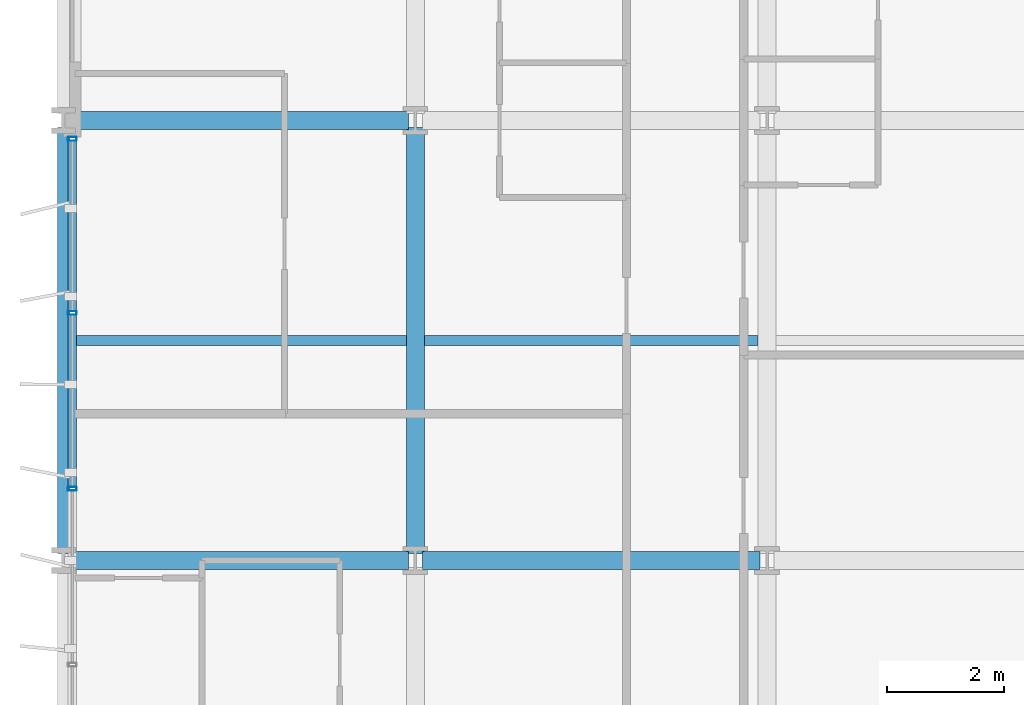
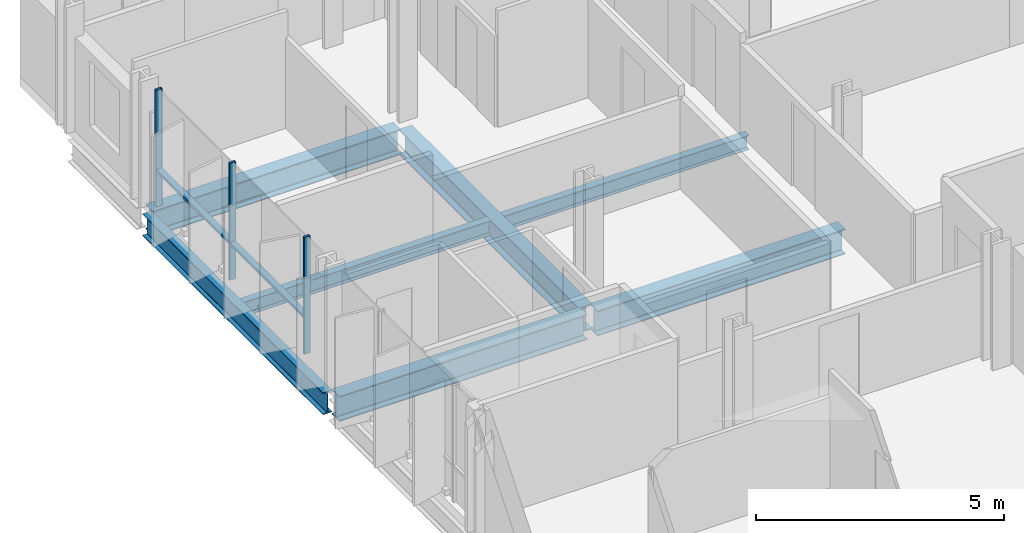
# One storey, part 5 of 38: 7 beams, 5 members, 1 element without a shape of its own.
"""IFC4 building model written with IfcOpenShell, lengths in metres."""

from ifc_helpers import new_model, si_unit, direction, frame, origin, origin_2d, place, context, subcontext, project, spatial, hollow_rectangle, i_section, extrude, material, layer, layer_set, material_profile, profile_set, type_object, element, aggregate, save


model = new_model("IFC4")

# Units and contexts
model_context = context("Model", 3, precision=1e-05, world=origin(), true_north=direction((0.0, 1.0)))
body_context = subcontext(model_context, "Body", "Model", "MODEL_VIEW")
ifc_project = project(units=[si_unit("LENGTHUNIT", "METRE"), si_unit("AREAUNIT", "SQUARE_METRE"), si_unit("VOLUMEUNIT", "CUBIC_METRE"), si_unit("PLANEANGLEUNIT", "RADIAN"), si_unit("MASSUNIT", "GRAM", prefix="KILO")], contexts=[model_context])

# Site, building, storey
site_placement = place(None, origin())
site = spatial("IfcSite", under=ifc_project, at=site_placement, CompositionType="ELEMENT")
building_placement = place(site_placement, origin())
building = spatial("IfcBuilding", under=site, at=building_placement, Name="Brevholm Reach", CompositionType="ELEMENT")
storey_placement = place(building_placement, frame((0.0, 0.0, 52.800048828125)))
storey = spatial("IfcBuildingStorey", under=building, at=storey_placement, Name="L14", CompositionType="ELEMENT", Elevation=52.800048828125)

# Beams
ifc_material_1 = material(Name="Structural Steel S355J2", Category="steel")
ifc_material_profile_1 = material_profile(ifc_material_1, i_section(OverallWidth=0.17138671875, OverallDepth=0.35498046875, WebThickness=0.00732421875, FlangeThickness=0.011474609375, FilletRadius=0.01025390625, at=origin_2d()), Name="UKB 356x171x51")
ifc_profile_set_1 = profile_set([ifc_material_profile_1], Name="Structural Steel S355J2")
beam_type_1 = type_object("IfcBeamType", Name="BM-B356", PredefinedType="BEAM", material=ifc_profile_set_1)
beam_1_placement = place(storey_placement, frame((0.10546875, 19.75, -0.407470703125), z_axis=(1.0, 0.0, 0.0), x_axis=(0.0, 1.0, 0.0)))
element("IfcBeam", 1, at=beam_1_placement, inside=storey, type_object=beam_type_1, Name="L14 Composite Secondary Floor Beam", PredefinedType="BEAM", context=body_context, shape_type="SweptSolid", body=[
    extrude(i_section(OverallWidth=0.17138671875, OverallDepth=0.35498046875, WebThickness=0.00732421875, FlangeThickness=0.011474609375, FilletRadius=0.01025390625, at=origin_2d()), origin(), (0.0, 0.0, 1.0), 5.740966796875),
])
beam_2_placement = place(storey_placement, frame((6.153564453125, 19.75, -0.407470703125), z_axis=(1.0, 0.0, 0.0), x_axis=(0.0, 1.0, 0.0)))
element("IfcBeam", 2, at=beam_2_placement, inside=storey, type_object=beam_type_1, Name="L14 Composite Secondary Floor Beam", PredefinedType="BEAM", context=body_context, shape_type="SweptSolid", body=[
    extrude(i_section(OverallWidth=0.17138671875, OverallDepth=0.35498046875, WebThickness=0.00732421875, FlangeThickness=0.011474609375, FilletRadius=0.01025390625, at=origin_2d()), origin(), (0.0, 0.0, 1.0), 5.69287109375),
])
ifc_material_2 = material(Name="Structural Steel S355J2", Category="steel")
ifc_material_profile_2 = material_profile(ifc_material_2, i_section(OverallWidth=0.210693359375, OverallDepth=0.53955078125, WebThickness=0.01171875, FlangeThickness=0.018798828125, FilletRadius=0.0126953125, at=origin_2d()), Name="UKB 533x210x109")
ifc_profile_set_2 = profile_set([ifc_material_profile_2], Name="Structural Steel S355J2")
beam_type_2 = type_object("IfcBeamType", Name="BM-SP539", PredefinedType="SPANDREL", material=ifc_profile_set_2)
beam_3_placement = place(storey_placement, frame((0.0, 16.1201171875, -0.499755859375), z_axis=(0.0, 1.0, 0.0), x_axis=(-1.0, 0.0, 0.0)))
element("IfcBeam", 3, at=beam_3_placement, inside=storey, type_object=beam_type_2, Name="L14 SP-01B Framing Beam", PredefinedType="SPANDREL", context=body_context, shape_type="SweptSolid", body=[
    extrude(i_section(OverallWidth=0.210693359375, OverallDepth=0.53955078125, WebThickness=0.01171875, FlangeThickness=0.018798828125, FilletRadius=0.0126953125, at=origin_2d()), origin(), (0.0, 0.0, 1.0), 7.259765625),
])
ifc_material_3 = material(Name="Structural Steel S355J2", Category="steel")
ifc_material_profile_3 = material_profile(ifc_material_3, i_section(OverallWidth=0.30712890625, OverallDepth=0.6201171875, WebThickness=0.01416015625, FlangeThickness=0.023681640625, FilletRadius=0.0166015625, at=origin_2d()), Name="UKB 610x305x179")
ifc_profile_set_3 = profile_set([ifc_material_profile_3], Name="Structural Steel S355J2")
beam_type_3 = type_object("IfcBeamType", Name="BM-UKB610H", PredefinedType="USERDEFINED", material=ifc_profile_set_3)
for number, where, z_axis, x_axis, name in (
    (4, (0.1201171875, 16.0, -0.5400390625), (1.0, 0.0, 0.0), (0.0, 1.0, 0.0), "L14 G-06 Framing Beam"),
    (5, (6.1201171875, 16.0, -0.5400390625), (1.0, 0.0, 0.0), (0.0, 1.0, 0.0), "L14 G-06 Framing Beam"),
    (6, (0.1201171875, 23.5, -0.5400390625), (1.0, 0.0, 0.0), (0.0, 1.0, 0.0), "L14 G-06 Framing Beam"),
):
    element("IfcBeam", number, at=place(storey_placement, frame(where, z_axis=z_axis, x_axis=x_axis)), inside=storey, type_object=beam_type_3, Name=name, ObjectType="GIRDER", PredefinedType="USERDEFINED", context=body_context, shape_type="SweptSolid", body=[
        extrude(i_section(OverallWidth=0.30712890625, OverallDepth=0.6201171875, WebThickness=0.01416015625, FlangeThickness=0.023681640625, FilletRadius=0.0166015625, at=origin_2d()), origin(), (0.0, 0.0, 1.0), 5.759765625),
    ])
beam_4_placement = place(storey_placement, frame((6.0, 16.1201171875, -0.5400390625), z_axis=(0.0, 1.0, 0.0), x_axis=(-1.0, 0.0, 0.0)))
element("IfcBeam", 7, at=beam_4_placement, inside=storey, type_object=beam_type_3, Name="L14 G-06 Framing Beam", ObjectType="GIRDER", PredefinedType="USERDEFINED", context=body_context, shape_type="SweptSolid", body=[
    extrude(i_section(OverallWidth=0.30712890625, OverallDepth=0.6201171875, WebThickness=0.01416015625, FlangeThickness=0.023681640625, FilletRadius=0.0166015625, at=origin_2d()), origin(), (0.0, 0.0, 1.0), 7.259765625),
])

# Curtain wall, members
ifc_material_4 = material(Name="Dark Anodised Aluminium 6063-T6 and Solar-Control Glass", Category="aluminium")
ifc_layer = layer(ifc_material_4, 0.14990234375)
ifc_layer_set = layer_set([ifc_layer], Name="Dark Anodised Aluminium 6063-T6 and Solar-Control Glass")
curtain_wall_type = type_object("IfcCurtainWallType", Name="CW-01", PredefinedType="NOTDEFINED", material=ifc_layer_set)
curtain_wall_placement = place(storey_placement, origin())
curtain_wall = element("IfcCurtainWall", 8, at=curtain_wall_placement, inside=storey, type_object=curtain_wall_type, Name="L14 Curtain Wall CW-01", PredefinedType="NOTDEFINED")
ifc_material_5 = material(Name="Dark Anodised Aluminium 6063-T6", Category="aluminium")
ifc_material_profile_4 = material_profile(ifc_material_5, hollow_rectangle(XDim=0.06494140625, YDim=0.14990234375, WallThickness=0.0048828125, InnerFilletRadius=0.0048828125, OuterFilletRadius=0.010009765625, at=origin_2d()), Name="RHS 150x65x5")
ifc_profile_set_4 = profile_set([ifc_material_profile_4], Name="Dark Anodised Aluminium 6063-T6")
member_type_1 = type_object("IfcMemberType", Name="CWM-150", PredefinedType="MULLION", material=ifc_profile_set_4)
member_1_placement = place(storey_placement, frame((0.14990234375, 23.1875, 0.0), z_axis=(0.0, 0.0, 1.0), x_axis=(0.0, -1.0, 0.0)))
member_1 = element("IfcMember", 9, at=member_1_placement, type_object=member_type_1, Name="CM-150 Mullion 1", PredefinedType="MULLION", context=body_context, shape_type="SweptSolid", body=[
    extrude(hollow_rectangle(XDim=0.06494140625, YDim=0.14990234375, WallThickness=0.0048828125, InnerFilletRadius=0.0048828125, OuterFilletRadius=0.010009765625, at=origin_2d()), origin(), (0.0, 0.0, 1.0), 2.869873046875),
])
member_2_placement = place(storey_placement, frame((0.14990234375, 20.219970703125, 0.0), z_axis=(0.0, 0.0, 1.0), x_axis=(0.0, -1.0, 0.0)))
member_2 = element("IfcMember", 10, at=member_2_placement, type_object=member_type_1, Name="CM-150 Mullion 2", PredefinedType="MULLION", context=body_context, shape_type="SweptSolid", body=[
    extrude(hollow_rectangle(XDim=0.06494140625, YDim=0.14990234375, WallThickness=0.0048828125, InnerFilletRadius=0.0048828125, OuterFilletRadius=0.010009765625, at=origin_2d()), origin(), (0.0, 0.0, 1.0), 2.869873046875),
])
member_3_placement = place(storey_placement, frame((0.14990234375, 17.219970703125, 0.0), z_axis=(0.0, 0.0, 1.0), x_axis=(0.0, -1.0, 0.0)))
member_3 = element("IfcMember", 11, at=member_3_placement, type_object=member_type_1, Name="CM-150 Mullion 3", PredefinedType="MULLION", context=body_context, shape_type="SweptSolid", body=[
    extrude(hollow_rectangle(XDim=0.06494140625, YDim=0.14990234375, WallThickness=0.0048828125, InnerFilletRadius=0.0048828125, OuterFilletRadius=0.010009765625, at=origin_2d()), origin(), (0.0, 0.0, 1.0), 2.869873046875),
])
ifc_material_6 = material(Name="Dark Anodised Aluminium 6063-T6", Category="aluminium")
ifc_material_profile_5 = material_profile(ifc_material_6, hollow_rectangle(XDim=0.06494140625, YDim=0.14990234375, WallThickness=0.0048828125, InnerFilletRadius=0.0048828125, OuterFilletRadius=0.010009765625, at=origin_2d()), Name="RHS 150x65x5")
ifc_profile_set_5 = profile_set([ifc_material_profile_5], Name="Dark Anodised Aluminium 6063-T6")
member_type_2 = type_object("IfcMemberType", Name="CWT-150", PredefinedType="NOTDEFINED", material=ifc_profile_set_5)
member_4_placement = place(storey_placement, frame((0.14990234375, 23.155029296875, 0.89990234375), z_axis=(0.0, -1.0, 0.0), x_axis=(0.0, 0.0, 1.0)))
member_4 = element("IfcMember", 12, at=member_4_placement, type_object=member_type_2, Name="CT-150 Transom 1.1", ObjectType="TRANSOM", PredefinedType="USERDEFINED", context=body_context, shape_type="SweptSolid", body=[
    extrude(hollow_rectangle(XDim=0.06494140625, YDim=0.14990234375, WallThickness=0.0048828125, InnerFilletRadius=0.0048828125, OuterFilletRadius=0.010009765625, at=origin_2d()), origin(), (0.0, 0.0, 1.0), 2.902587890625),
])
member_5_placement = place(storey_placement, frame((0.14990234375, 20.1875, 0.89990234375), z_axis=(0.0, -1.0, 0.0), x_axis=(0.0, 0.0, 1.0)))
member_5 = element("IfcMember", 13, at=member_5_placement, type_object=member_type_2, Name="CT-150 Transom 2.1", ObjectType="TRANSOM", PredefinedType="USERDEFINED", context=body_context, shape_type="SweptSolid", body=[
    extrude(hollow_rectangle(XDim=0.06494140625, YDim=0.14990234375, WallThickness=0.0048828125, InnerFilletRadius=0.0048828125, OuterFilletRadius=0.010009765625, at=origin_2d()), origin(), (0.0, 0.0, 1.0), 2.93505859375),
])
aggregate(curtain_wall, [member_1, member_2, member_3, member_4, member_5])

save(model, "model.ifc")
